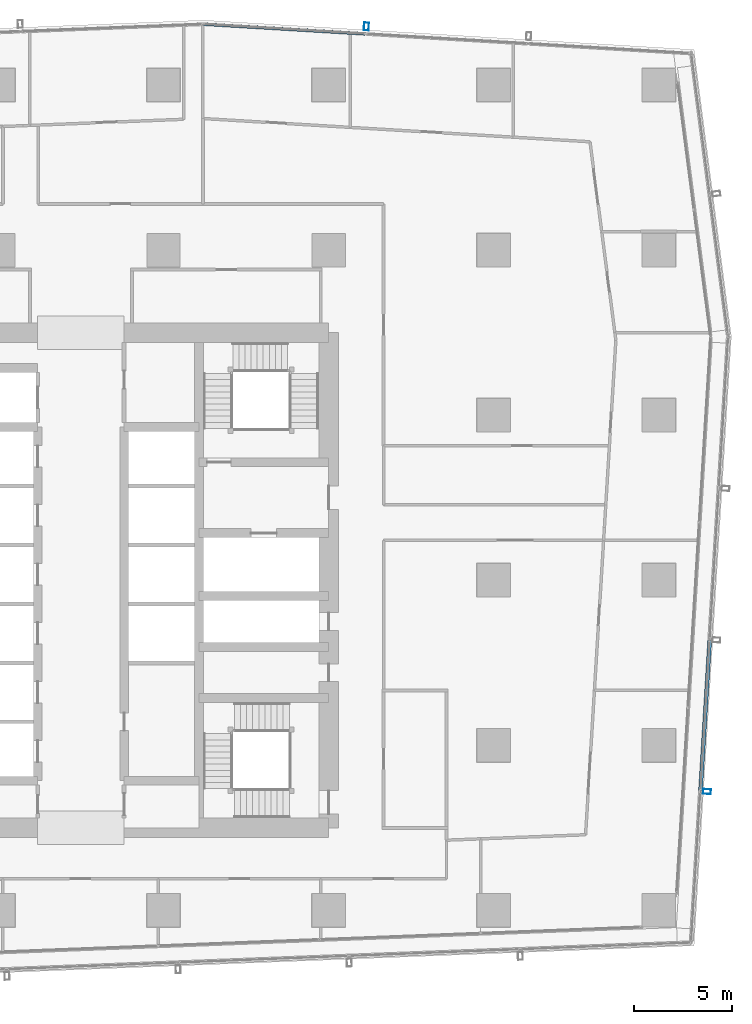
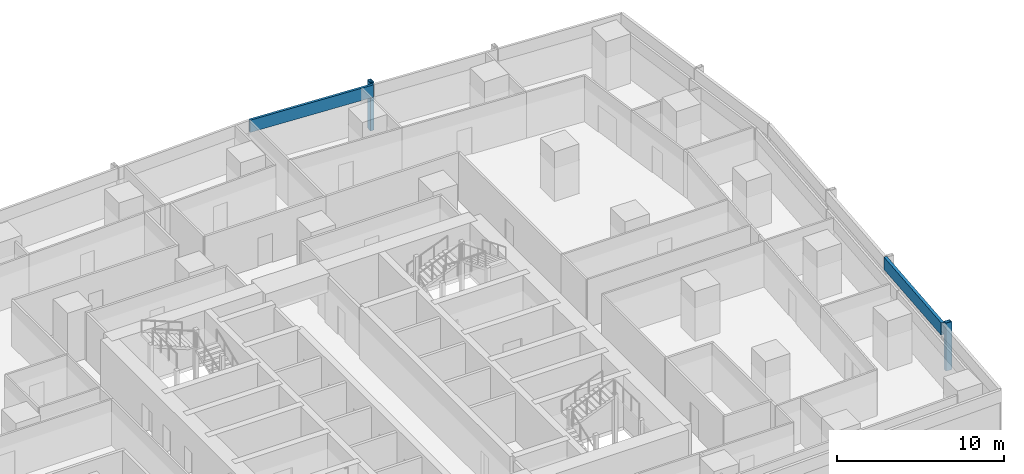
# One storey, part 22 of 38: 4 members, 2 elements without a shape of their own.
"""IFC4 building model written with IfcOpenShell, lengths in metres."""

from ifc_helpers import new_model, si_unit, direction, frame, origin, origin_2d, place, context, subcontext, project, spatial, hollow_rectangle, extrude, material, material_profile, profile_set, type_object, element, aggregate, save


model = new_model("IFC4")

# Units and contexts
model_context = context("Model", 3, precision=1e-05, world=origin(), true_north=direction((0.0, 1.0)))
body_context = subcontext(model_context, "Body", "Model", "MODEL_VIEW")
ifc_project = project(units=[si_unit("LENGTHUNIT", "METRE"), si_unit("AREAUNIT", "SQUARE_METRE"), si_unit("VOLUMEUNIT", "CUBIC_METRE"), si_unit("PLANEANGLEUNIT", "RADIAN"), si_unit("MASSUNIT", "GRAM", prefix="KILO")], contexts=[model_context])

# Site, building, storey
site_placement = place(None, origin())
site = spatial("IfcSite", under=ifc_project, at=site_placement, CompositionType="ELEMENT")
building_placement = place(site_placement, origin())
building = spatial("IfcBuilding", under=site, at=building_placement, Name="Rekha Terrace Tower", CompositionType="ELEMENT")
storey_placement = place(building_placement, frame((0.0, 0.0, 114.050048828125)))
storey = spatial("IfcBuildingStorey", under=building, at=storey_placement, Name="L28", CompositionType="ELEMENT", Elevation=114.050048828125)

# Curtain wall, member
ifc_material_1 = material(Name="Aluminium framing", Category="aluminium")
curtain_wall_type_1 = type_object("IfcCurtainWallType", Name="CW2 double skin outer glazing", PredefinedType="USERDEFINED", material=ifc_material_1)
curtain_wall_1_placement = place(storey_placement, origin())
curtain_wall_1 = element("IfcCurtainWall", 1, at=curtain_wall_1_placement, inside=storey, type_object=curtain_wall_type_1, Name="CW2 double skin outer glazing", ObjectType="DOUBLE SKIN OUTER GLAZING", PredefinedType="USERDEFINED")
ifc_material_2 = material(Name="Steel S355 with fluorocarbon finish", Category="steel")
ifc_material_profile_1 = material_profile(ifc_material_2, hollow_rectangle(XDim=0.25, YDim=0.39990234375, WallThickness=0.012451171875, at=origin_2d()), Name="RHS400x250x12.5")
ifc_profile_set_1 = profile_set([ifc_material_profile_1], Name="Steel S355 with fluorocarbon finish")
member_type_1 = type_object("IfcMemberType", Name="BL1 facade blade RHS 400 x 250", PredefinedType="USERDEFINED", material=ifc_profile_set_1)
member_1_placement = place(storey_placement, frame((69.656005859375, 22.845703125, 0.0), z_axis=(0.0, 0.0, 1.0), x_axis=(0.061160031881, 0.998127973008, 0.0)))
member_1 = element("IfcMember", 2, at=member_1_placement, type_object=member_type_1, Name="Facade blade", ObjectType="FACADE BLADE", PredefinedType="USERDEFINED", context=body_context, shape_type="SweptSolid", body=[
    extrude(hollow_rectangle(XDim=0.25, YDim=0.39990234375, WallThickness=0.012451171875, at=origin_2d()), origin(), (0.0, 0.0, 1.0), 3.5),
])

curtain_wall_type_2 = type_object("IfcCurtainWallType", Name="CW3 north unitised glazing", PredefinedType="USERDEFINED", material=ifc_material_1)
curtain_wall_2_placement = place(storey_placement, origin())
curtain_wall_2 = element("IfcCurtainWall", 3, at=curtain_wall_2_placement, inside=storey, type_object=curtain_wall_type_2, Name="CW3 unitised curtain wall", ObjectType="UNITISED CURTAIN WALL", PredefinedType="USERDEFINED")
member_2_placement = place(storey_placement, frame((52.322265625, 61.777587890625, 0.0), z_axis=(0.0, 0.0, 1.0), x_axis=(-0.998199123409, 0.059987582268, 0.0)))
member_2 = element("IfcMember", 4, at=member_2_placement, type_object=member_type_1, Name="Facade blade", ObjectType="FACADE BLADE", PredefinedType="USERDEFINED", context=body_context, shape_type="SweptSolid", body=[
    extrude(hollow_rectangle(XDim=0.25, YDim=0.39990234375, WallThickness=0.012451171875, at=origin_2d()), origin(), (0.0, 0.0, 1.0), 3.5),
])

# Member
ifc_material_3 = material(Name="Insulated aluminium spandrel box", Category="aluminium")
ifc_material_profile_2 = material_profile(ifc_material_3, hollow_rectangle(XDim=0.199951171875, YDim=0.89990234375, WallThickness=0.0029296875, at=origin_2d()), Name="AL SPANDREL BOX 200x900")
ifc_profile_set_2 = profile_set([ifc_material_profile_2], Name="Insulated aluminium spandrel box")
member_type_2 = type_object("IfcMemberType", Name="CW2 spandrel transom 200 x 900", PredefinedType="USERDEFINED", material=ifc_profile_set_2)
member_3_placement = place(storey_placement, frame((69.32421875, 22.90625, 3.050048828125), z_axis=(0.061141871886, 0.998129085591, 0.0), x_axis=(-0.998129085591, 0.061141871886, 0.0)))
member_3 = element("IfcMember", 5, at=member_3_placement, type_object=member_type_2, Name="CW2 spandrel transom 2", ObjectType="TRANSOM", PredefinedType="USERDEFINED", context=body_context, shape_type="SweptSolid", body=[
    extrude(hollow_rectangle(XDim=0.199951171875, YDim=0.89990234375, WallThickness=0.0029296875, at=origin_2d()), origin(), (0.0, 0.0, 1.0), 7.646728515625),
])

aggregate(curtain_wall_1, [member_3, member_1])

ifc_material_profile_3 = material_profile(ifc_material_3, hollow_rectangle(XDim=0.159912109375, YDim=0.89990234375, WallThickness=0.0029296875, at=origin_2d()), Name="AL SPANDREL BOX 160x900")
ifc_profile_set_3 = profile_set([ifc_material_profile_3], Name="Insulated aluminium spandrel box")
member_type_3 = type_object("IfcMemberType", Name="CW3 spandrel transom 160 x 900", PredefinedType="USERDEFINED", material=ifc_profile_set_3)
member_4_placement = place(storey_placement, frame((52.2646484375, 61.4052734375, 3.050048828125), z_axis=(-0.998199102701, 0.059987926845, 0.0), x_axis=(-0.059987926845, -0.998199102701, 0.0)))
member_4 = element("IfcMember", 6, at=member_4_placement, type_object=member_type_3, Name="CW3 spandrel transom 3", ObjectType="TRANSOM", PredefinedType="USERDEFINED", context=body_context, shape_type="SweptSolid", body=[
    extrude(hollow_rectangle(XDim=0.159912109375, YDim=0.89990234375, WallThickness=0.0029296875, at=origin_2d()), origin(), (0.0, 0.0, 1.0), 8.241455078125),
])

aggregate(curtain_wall_2, [member_4, member_2])

save(model, "model.ifc")
